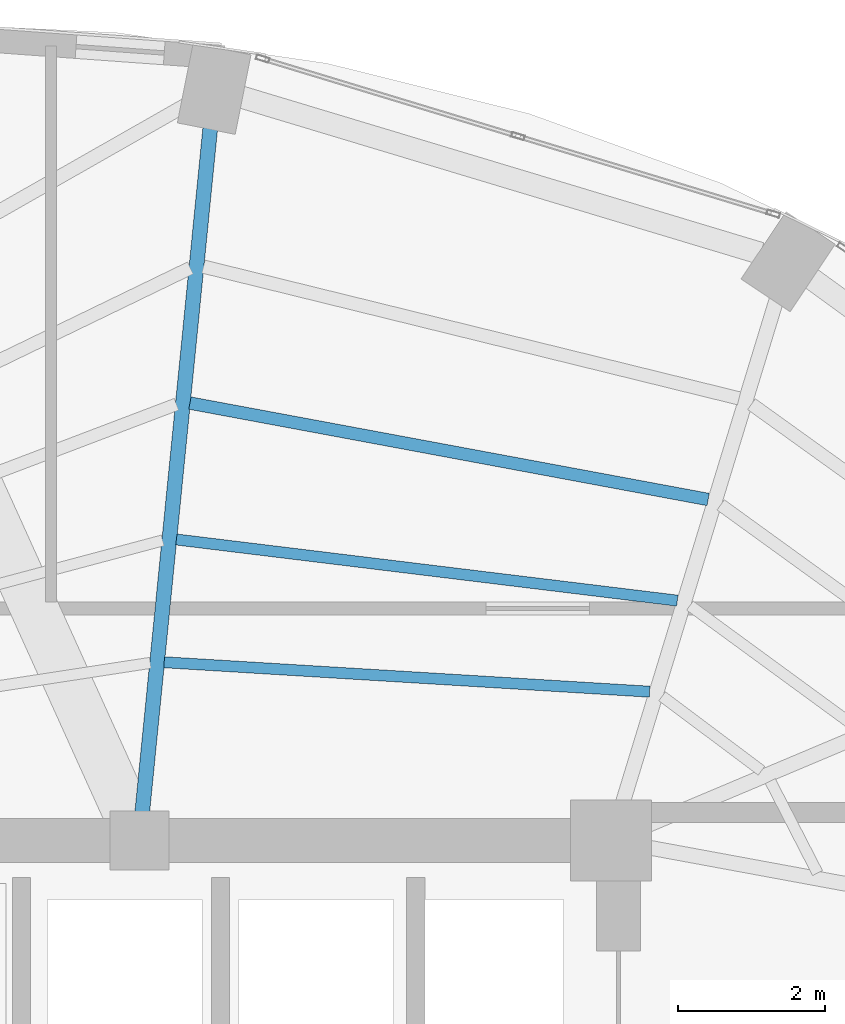
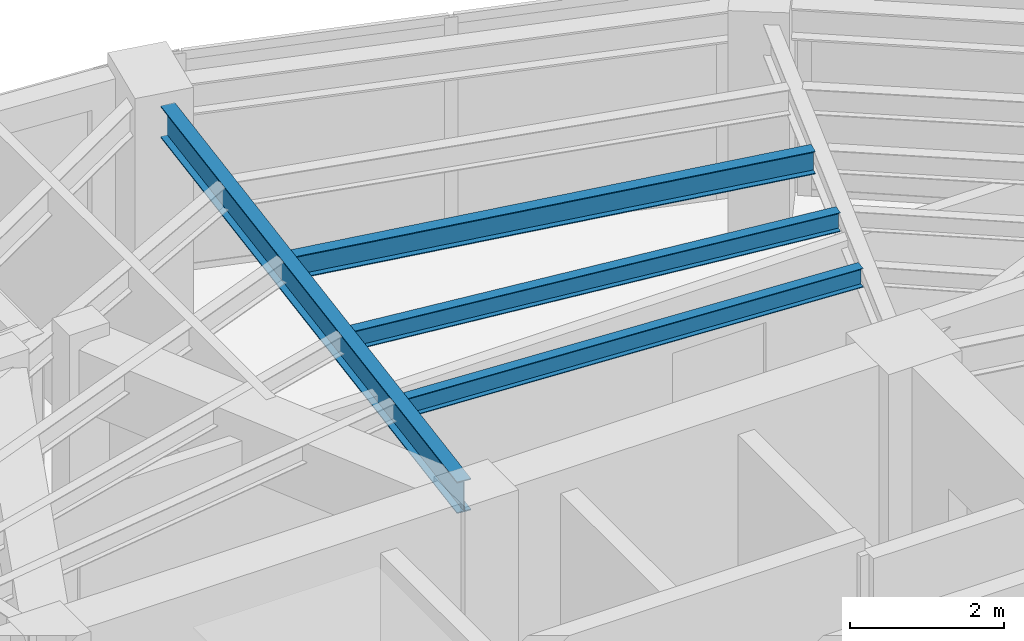
# One storey, part 12 of 22: 4 beams.
"""IFC4 building model written with IfcOpenShell, lengths in metres."""

from ifc_helpers import new_model, si_unit, direction, frame, origin, origin_2d, place, context, subcontext, project, spatial, i_section, extrude, material, material_profile, profile_set, type_object, element, save


model = new_model("IFC4")

# Units and contexts
model_context = context("Model", 3, precision=1e-05, world=origin(), true_north=direction((0.0, 1.0)))
body_context = subcontext(model_context, "Body", "Model", "MODEL_VIEW")
ifc_project = project(units=[si_unit("LENGTHUNIT", "METRE"), si_unit("AREAUNIT", "SQUARE_METRE"), si_unit("VOLUMEUNIT", "CUBIC_METRE"), si_unit("PLANEANGLEUNIT", "RADIAN"), si_unit("MASSUNIT", "GRAM", prefix="KILO")], contexts=[model_context])

# Site, building, storey
site_placement = place(None, origin())
site = spatial("IfcSite", under=ifc_project, at=site_placement, CompositionType="ELEMENT")
building_placement = place(site_placement, origin())
building = spatial("IfcBuilding", under=site, at=building_placement, Name="Lazwardi Medical Tower", CompositionType="ELEMENT")
storey_placement = place(building_placement, frame((0.0, 0.0, 227.6640625)))
storey = spatial("IfcBuildingStorey", under=building, at=storey_placement, Name="L59", CompositionType="ELEMENT", Elevation=227.6640625)

# Beams
ifc_material = material(Name="Steel S355", Category="steel")
ifc_material_profile_1 = material_profile(ifc_material, i_section(OverallWidth=0.199951171875, OverallDepth=0.5, WebThickness=0.01025390625, FlangeThickness=0.01611328125, at=origin_2d()), Name="IPE 500")
ifc_profile_set_1 = profile_set([ifc_material_profile_1], Name="Steel S355")
beam_type_1 = type_object("IfcBeamType", Name="BM-RG-W3", PredefinedType="BEAM", material=ifc_profile_set_1)
beam_1_placement = place(storey_placement, frame((40.1611328125, 45.265869140625, 3.197998046875), z_axis=(-0.098954361922, -0.995091972763, 0.0), x_axis=(0.995091972763, -0.098954361922, 0.0)))
element("IfcBeam", 1, at=beam_1_placement, inside=storey, type_object=beam_type_1, Name="Radial girder RG-04 R08 L59", PredefinedType="BEAM", context=body_context, shape_type="SweptSolid", body=[
    extrude(i_section(OverallWidth=0.199951171875, OverallDepth=0.5, WebThickness=0.01025390625, FlangeThickness=0.01611328125, at=origin_2d()), origin(), (0.0, 0.0, 1.0), 9.32861328125),
])
ifc_material_profile_2 = material_profile(ifc_material, i_section(OverallWidth=0.169921875, OverallDepth=0.360107421875, WebThickness=0.008056640625, FlangeThickness=0.0126953125, at=origin_2d()), Name="IPE 360")
ifc_profile_set_2 = profile_set([ifc_material_profile_2], Name="Steel S355")
beam_type_2 = type_object("IfcBeamType", Name="BM-SJ-02", PredefinedType="JOIST", material=ifc_profile_set_2)
beam_2_placement = place(storey_placement, frame((46.91552734375, 40.2275390625, 3.267822265625), z_axis=(-0.983132476587, 0.182894870019, 0.0), x_axis=(-0.182894870019, -0.983132476587, 0.0)))
element("IfcBeam", 2, at=beam_2_placement, inside=storey, type_object=beam_type_2, Name="Secondary joist SJ-02 R2 B07 L59", PredefinedType="JOIST", context=body_context, shape_type="SweptSolid", body=[
    extrude(i_section(OverallWidth=0.169921875, OverallDepth=0.360107421875, WebThickness=0.008056640625, FlangeThickness=0.0126953125, at=origin_2d()), origin(), (0.0, 0.0, 1.0), 7.15087890625),
])
ifc_material_profile_3 = material_profile(ifc_material, i_section(OverallWidth=0.14990234375, OverallDepth=0.300048828125, WebThickness=0.007080078125, FlangeThickness=0.0107421875, at=origin_2d()), Name="IPE 300")
ifc_profile_set_3 = profile_set([ifc_material_profile_3], Name="Steel S355")
beam_type_3 = type_object("IfcBeamType", Name="BM-SJ-03", PredefinedType="JOIST", material=ifc_profile_set_3)
beam_3_placement = place(storey_placement, frame((46.4970703125, 38.85546875, 3.2978515625), z_axis=(-0.992634689535, 0.121146081783, 0.0), x_axis=(-0.121146081783, -0.992634689535, 0.0)))
element("IfcBeam", 3, at=beam_3_placement, inside=storey, type_object=beam_type_3, Name="Secondary joist SJ-03 R3 B07 L59", PredefinedType="JOIST", context=body_context, shape_type="SweptSolid", body=[
    extrude(i_section(OverallWidth=0.14990234375, OverallDepth=0.300048828125, WebThickness=0.007080078125, FlangeThickness=0.0107421875, at=origin_2d()), origin(), (0.0, 0.0, 1.0), 6.845947265625),
])
beam_4_placement = place(storey_placement, frame((46.120849609375, 37.6201171875, 3.2978515625), z_axis=(-0.998165515862, 0.060544223044, 0.0), x_axis=(-0.060544223044, -0.998165515862, 0.0)))
element("IfcBeam", 4, at=beam_4_placement, inside=storey, type_object=beam_type_3, Name="Secondary joist SJ-03 R4 B07 L59", PredefinedType="JOIST", context=body_context, shape_type="SweptSolid", body=[
    extrude(i_section(OverallWidth=0.14990234375, OverallDepth=0.300048828125, WebThickness=0.007080078125, FlangeThickness=0.0107421875, at=origin_2d()), origin(), (0.0, 0.0, 1.0), 6.59716796875),
])

save(model, "model.ifc")
